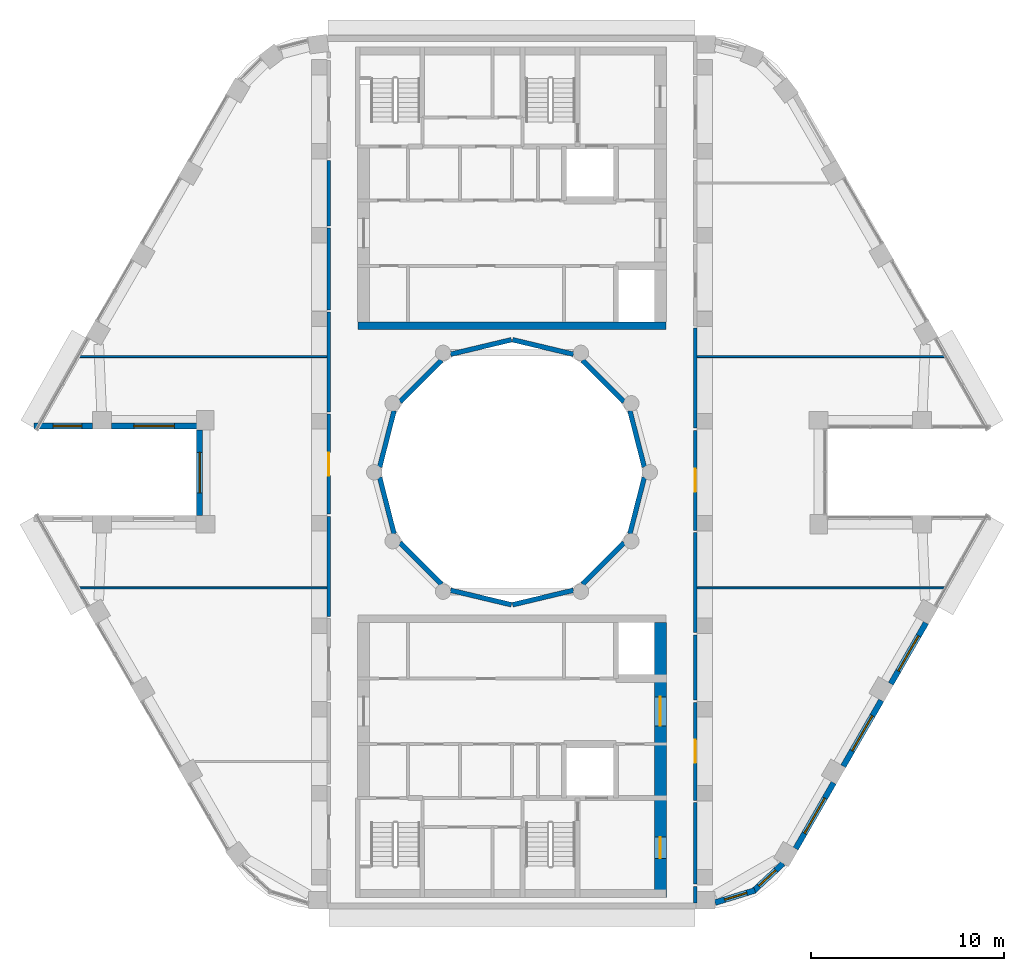
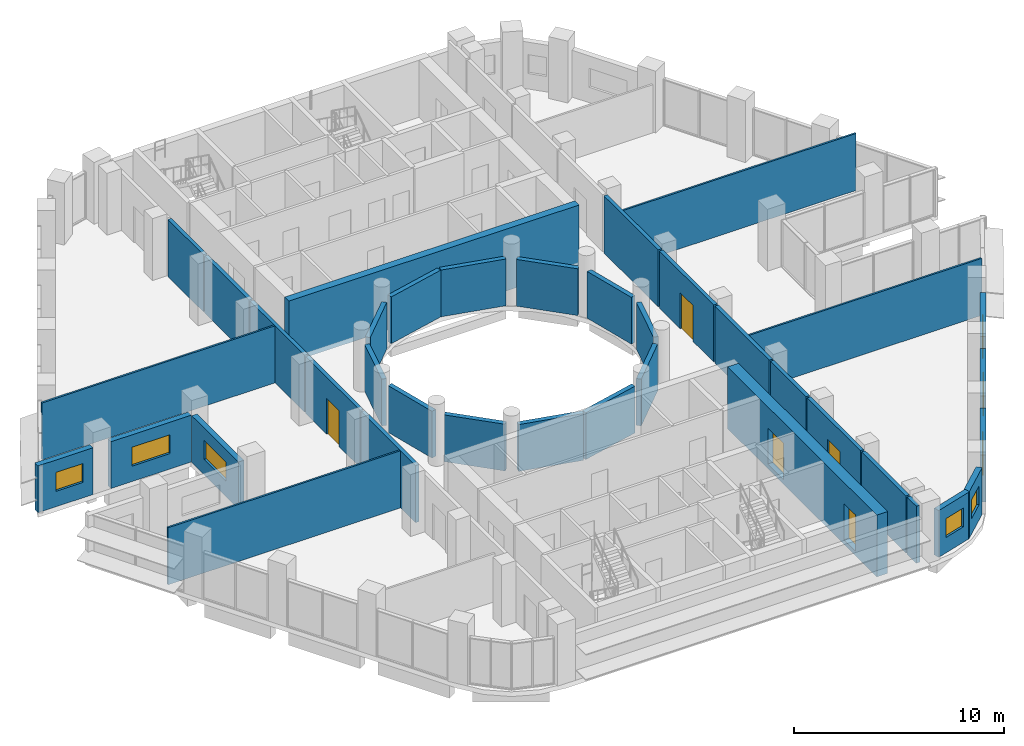
# One storey, part 11 of 16: 38 walls, 8 windows, 5 doors, 13 openings.
"""IFC4 building model written with IfcOpenShell, lengths in metres."""

from ifc_helpers import new_model, si_unit, direction, frame, frame_2d, origin, place, context, subcontext, project, spatial, rectangle, extrude, material, layer, layer_set, type_object, element, fill, save


model = new_model("IFC4")

# Units and contexts
model_context = context("Model", 3, precision=1e-05, world=origin(), true_north=direction((0.0, 1.0)))
body_context = subcontext(model_context, "Body", "Model", "MODEL_VIEW")
ifc_project = project(units=[si_unit("LENGTHUNIT", "METRE"), si_unit("AREAUNIT", "SQUARE_METRE"), si_unit("VOLUMEUNIT", "CUBIC_METRE"), si_unit("PLANEANGLEUNIT", "RADIAN"), si_unit("MASSUNIT", "GRAM", prefix="KILO")], contexts=[model_context])

# Site, building, storey
site_placement = place(None, origin())
site = spatial("IfcSite", under=ifc_project, at=site_placement, CompositionType="ELEMENT")
building_placement = place(site_placement, origin())
building = spatial("IfcBuilding", under=site, at=building_placement, Name="Nakaniwa Court", CompositionType="ELEMENT")
storey_placement = place(building_placement, frame((0.0, 0.0, 272.39990234375)))
storey = spatial("IfcBuildingStorey", under=building, at=storey_placement, Name="C01", CompositionType="ELEMENT", Elevation=272.39990234375)

# Walls
ifc_material_1 = material(Name="Acoustic double stud partition")
ifc_layer_1 = layer(ifc_material_1, 0.199951171875)
ifc_layer_set_1 = layer_set([ifc_layer_1], Name="Acoustic double stud partition")
wall_type_1 = type_object("IfcWallType", Name="Acoustic double stud partition 200", PredefinedType="PARTITIONING", material=ifc_layer_set_1)
wall_1_placement = place(storey_placement, frame((89.5, 57.64990234375, 0.0), z_axis=(0.0, 0.0, 1.0), x_axis=(0.0, 1.0, 0.0)))
element("IfcWall", 1, at=wall_1_placement, inside=storey, type_object=wall_type_1, Name="Partition PW-057", PredefinedType="PARTITIONING", context=body_context, shape_type="SweptSolid", body=[
    extrude(rectangle(XDim=0.873046875, YDim=0.199951171875, at=frame_2d((0.4365234375, 0.0))), origin(), (0.0, 0.0, 1.0), 3.3251953125),
])
wall_2_placement = place(storey_placement, frame((89.5, 58.636962890625, 0.0), z_axis=(0.0, 0.0, 1.0), x_axis=(0.0, 1.0, 0.0)))
element("IfcWall", 2, at=wall_2_placement, inside=storey, type_object=wall_type_1, Name="Partition PW-058", PredefinedType="PARTITIONING", context=body_context, shape_type="SweptSolid", body=[
    extrude(rectangle(XDim=4.236083984375, YDim=0.199951171875, at=frame_2d((2.1181640625, 0.0))), origin(), (0.0, 0.0, 1.0), 3.3251953125),
])

# Wall, opening, door
wall_3_placement = place(storey_placement, frame((89.5, 68.06298828125, 0.0), z_axis=(0.0, 0.0, 1.0), x_axis=(0.0, -1.0, 0.0)))
wall_3 = element("IfcWall", 3, at=wall_3_placement, inside=storey, type_object=wall_type_1, Name="Partition PW-059", PredefinedType="PARTITIONING", context=body_context, shape_type="SweptSolid", body=[
    extrude(rectangle(XDim=5.075927734375, YDim=0.199951171875, at=frame_2d((2.5380859375, 0.0))), origin(), (0.0, 0.0, 1.0), 3.3251953125),
])
opening_1_placement = place(wall_3_placement, frame((1.93798828125, 0.0, 0.0)))
opening_1 = element("IfcOpeningElement", 4, at=opening_1_placement, cuts=wall_3, Name="Opening D-30-01", PredefinedType="OPENING", context=body_context, shape_type="SweptSolid", body=[
    extrude(rectangle(XDim=1.199951171875, YDim=2.10009765625, at=frame_2d((0.60009765625, 1.050048828125))), frame((0.0, 0.10986328125, 0.0), z_axis=(0.0, -1.0, 0.0), x_axis=(1.0, 0.0, 0.0)), (0.0, 0.0, 1.0), 0.219970703125),
])
ifc_material_2 = material(Name="Solid core timber door set, black veneer", Category="wood")
door_type_1 = type_object("IfcDoorType", Name="Internal door 1200", OperationType="NOTDEFINED", PredefinedType="DOOR", material=ifc_material_2)
door_1_placement = place(opening_1_placement, origin())
door_1 = element("IfcDoor", 5, at=door_1_placement, inside=storey, type_object=door_type_1, Name="Door D-30-01 C01-029", OperationType="SINGLE_SWING_RIGHT", OverallHeight=2.10009765625, OverallWidth=1.199951171875, PredefinedType="DOOR", context=body_context, shape_type="SweptSolid", body=[
    extrude(rectangle(XDim=1.199951171875, YDim=2.10009765625, at=frame_2d((0.60009765625, 1.050048828125))), frame((0.0, 0.02490234375, 0.0), z_axis=(0.0, -1.0, 0.0), x_axis=(1.0, 0.0, 0.0)), (0.0, 0.0, 1.0), 0.050048828125),
])
fill(opening_1, door_1)

# Walls
wall_4_placement = place(storey_placement, frame((89.5, 68.177001953125, 0.0), z_axis=(0.0, 0.0, 1.0), x_axis=(0.0, 1.0, 0.0)))
element("IfcWall", 6, at=wall_4_placement, inside=storey, type_object=wall_type_1, Name="Partition PW-060", PredefinedType="PARTITIONING", context=body_context, shape_type="SweptSolid", body=[
    extrude(rectangle(XDim=3.39599609375, YDim=0.199951171875, at=frame_2d((1.697998046875, 0.0))), origin(), (0.0, 0.0, 1.0), 3.3251953125),
])
wall_5_placement = place(storey_placement, frame((89.5, 71.68701171875, 0.0), z_axis=(0.0, 0.0, 1.0), x_axis=(0.0, 1.0, 0.0)))
element("IfcWall", 7, at=wall_5_placement, inside=storey, type_object=wall_type_1, Name="Partition PW-061", PredefinedType="PARTITIONING", context=body_context, shape_type="SweptSolid", body=[
    extrude(rectangle(XDim=5.18603515625, YDim=0.199951171875, at=frame_2d((2.593017578125, 0.0))), origin(), (0.0, 0.0, 1.0), 3.3251953125),
])

# Wall, opening, door
wall_6_placement = place(storey_placement, frame((89.5, 82.173095703125, 0.0), z_axis=(0.0, 0.0, 1.0), x_axis=(0.0, -1.0, 0.0)))
wall_6 = element("IfcWall", 8, at=wall_6_placement, inside=storey, type_object=wall_type_1, Name="Partition PW-062", PredefinedType="PARTITIONING", context=body_context, shape_type="SweptSolid", body=[
    extrude(rectangle(XDim=5.18603515625, YDim=0.199951171875, at=frame_2d((2.593017578125, 0.0))), origin(), (0.0, 0.0, 1.0), 3.3251953125),
])
opening_2_placement = place(wall_6_placement, frame((1.992919921875, 0.0, 0.0)))
opening_2 = element("IfcOpeningElement", 9, at=opening_2_placement, cuts=wall_6, Name="Opening D-30-02", PredefinedType="OPENING", context=body_context, shape_type="SweptSolid", body=[
    extrude(rectangle(XDim=1.199951171875, YDim=2.10009765625, at=frame_2d((0.60009765625, 1.050048828125))), frame((0.0, 0.10986328125, 0.0), z_axis=(0.0, -1.0, 0.0), x_axis=(1.0, 0.0, 0.0)), (0.0, 0.0, 1.0), 0.219970703125),
])
door_2_placement = place(opening_2_placement, origin())
door_2 = element("IfcDoor", 10, at=door_2_placement, inside=storey, type_object=door_type_1, Name="Door D-30-02 C01-030", OperationType="SINGLE_SWING_LEFT", OverallHeight=2.10009765625, OverallWidth=1.199951171875, PredefinedType="DOOR", context=body_context, shape_type="SweptSolid", body=[
    extrude(rectangle(XDim=1.199951171875, YDim=2.10009765625, at=frame_2d((0.60009765625, 1.050048828125))), frame((0.0, 0.02490234375, 0.0), z_axis=(0.0, -1.0, 0.0), x_axis=(1.0, 0.0, 0.0)), (0.0, 0.0, 1.0), 0.050048828125),
])
fill(opening_2, door_2)

# Walls
for number, where, z_axis, x_axis, name in (
    (11, (89.5, 82.287109375, 0.0), (0.0, 0.0, 1.0), (0.0, 1.0, 0.0), "Partition PW-063"),
    (12, (70.5, 72.527099609375, 0.0), (0.0, 0.0, 1.0), (0.0, 1.0, 0.0), "Partition PW-077"),
):
    element("IfcWall", number, at=place(storey_placement, frame(where, z_axis=z_axis, x_axis=x_axis)), inside=storey, type_object=wall_type_1, Name=name, PredefinedType="PARTITIONING", context=body_context, shape_type="SweptSolid", body=[
        extrude(rectangle(XDim=5.185791015625, YDim=0.199951171875, at=frame_2d((2.5927734375, 0.0))), origin(), (0.0, 0.0, 1.0), 3.3251953125),
    ])

# Wall, opening, door
wall_7_placement = place(storey_placement, frame((70.5, 77.826904296875, 0.0), z_axis=(0.0, 0.0, 1.0), x_axis=(0.0, 1.0, 0.0)))
wall_7 = element("IfcWall", 13, at=wall_7_placement, inside=storey, type_object=wall_type_1, Name="Partition PW-078", PredefinedType="PARTITIONING", context=body_context, shape_type="SweptSolid", body=[
    extrude(rectangle(XDim=5.18603515625, YDim=0.199951171875, at=frame_2d((2.593017578125, 0.0))), origin(), (0.0, 0.0, 1.0), 3.3251953125),
])
opening_3_placement = place(wall_7_placement, frame((1.992919921875, 0.0, 0.0)))
opening_3 = element("IfcOpeningElement", 14, at=opening_3_placement, cuts=wall_7, Name="Opening D-30-07", PredefinedType="OPENING", context=body_context, shape_type="SweptSolid", body=[
    extrude(rectangle(XDim=1.199951171875, YDim=2.10009765625, at=frame_2d((0.60009765625, 1.050048828125))), frame((0.0, 0.10986328125, 0.0), z_axis=(0.0, -1.0, 0.0), x_axis=(1.0, 0.0, 0.0)), (0.0, 0.0, 1.0), 0.219970703125),
])
door_3_placement = place(opening_3_placement, origin())
door_3 = element("IfcDoor", 15, at=door_3_placement, inside=storey, type_object=door_type_1, Name="Door D-30-07 C01-035", OperationType="SINGLE_SWING_RIGHT", OverallHeight=2.10009765625, OverallWidth=1.199951171875, PredefinedType="DOOR", context=body_context, shape_type="SweptSolid", body=[
    extrude(rectangle(XDim=1.199951171875, YDim=2.10009765625, at=frame_2d((0.60009765625, 1.050048828125))), frame((0.0, 0.02490234375, 0.0), z_axis=(0.0, -1.0, 0.0), x_axis=(1.0, 0.0, 0.0)), (0.0, 0.0, 1.0), 0.050048828125),
])
fill(opening_3, door_3)

# Walls
wall_8_placement = place(storey_placement, frame((70.5, 83.126953125, 0.0), z_axis=(0.0, 0.0, 1.0), x_axis=(0.0, 1.0, 0.0)))
element("IfcWall", 16, at=wall_8_placement, inside=storey, type_object=wall_type_1, Name="Partition PW-079", PredefinedType="PARTITIONING", context=body_context, shape_type="SweptSolid", body=[
    extrude(rectangle(XDim=5.18603515625, YDim=0.199951171875, at=frame_2d((2.593017578125, 0.0))), origin(), (0.0, 0.0, 1.0), 3.3251953125),
])
wall_9_placement = place(storey_placement, frame((70.5, 88.427001953125, 0.0), z_axis=(0.0, 0.0, 1.0), x_axis=(0.0, 1.0, 0.0)))
element("IfcWall", 17, at=wall_9_placement, inside=storey, type_object=wall_type_1, Name="Partition PW-080", PredefinedType="PARTITIONING", context=body_context, shape_type="SweptSolid", body=[
    extrude(rectangle(XDim=4.236083984375, YDim=0.199951171875, at=frame_2d((2.1181640625, 0.0))), origin(), (0.0, 0.0, 1.0), 3.3251953125),
])
wall_10_placement = place(storey_placement, frame((70.5, 92.777099609375, 0.0), z_axis=(0.0, 0.0, 1.0), x_axis=(0.0, 1.0, 0.0)))
element("IfcWall", 18, at=wall_10_placement, inside=storey, type_object=wall_type_1, Name="Partition PW-081", PredefinedType="PARTITIONING", context=body_context, shape_type="SweptSolid", body=[
    extrude(rectangle(XDim=3.39599609375, YDim=0.199951171875, at=frame_2d((1.697998046875, 0.0))), origin(), (0.0, 0.0, 1.0), 3.3251953125),
])

# Wall, opening, window
ifc_material_3 = material(Name="Charcoal ceramic cladding")
ifc_layer_2 = layer(ifc_material_3, 0.02, Name="Ceramic cladding")
ifc_material_4 = material(Name="Ventilated air cavity")
ifc_layer_3 = layer(ifc_material_4, 0.04, ventilated=True, Name="Ventilated cavity")
ifc_material_5 = material(Name="Mineral wool insulation")
ifc_layer_4 = layer(ifc_material_5, 0.1, Name="Insulation")
ifc_material_6 = material(Name="Cement bonded sheathing board")
ifc_layer_5 = layer(ifc_material_6, 0.012, Name="Sheathing")
ifc_material_7 = material(Name="Cold-formed galvanised stud frame with mineral wool infill")
ifc_layer_6 = layer(ifc_material_7, 0.1, Name="Stud frame")
ifc_material_8 = material(Name="Fire-rated gypsum plasterboard lining")
ifc_layer_7 = layer(ifc_material_8, 0.028, Name="Lining")
ifc_layer_set_2 = layer_set([ifc_layer_2, ifc_layer_3, ifc_layer_4, ifc_layer_5, ifc_layer_6, ifc_layer_7], Name="Charcoal ceramic faced external wall system")
wall_type_2 = type_object("IfcWallType", Name="Black ceramic faced external wall 300", PredefinedType="SOLIDWALL", material=ifc_layer_set_2)
wall_11_placement = place(storey_placement, frame((55.2021484375, 82.39990234375, 0.0), z_axis=(0.0, 0.0, 1.0), x_axis=(1.0, 0.0, 0.0)))
wall_11 = element("IfcWall", 19, at=wall_11_placement, inside=storey, type_object=wall_type_2, Name="C01 external wall 15", PredefinedType="SOLIDWALL", context=body_context, shape_type="SweptSolid", body=[
    extrude(rectangle(XDim=3.037841796875, YDim=0.300048828125, at=frame_2d((1.51904296875, 0.0))), origin(), (0.0, 0.0, 1.0), 2.72509765625),
])
opening_4_placement = place(wall_11_placement, frame((0.993896484375, 0.0, 0.89990234375)))
opening_4 = element("IfcOpeningElement", 20, at=opening_4_placement, cuts=wall_11, Name="Opening W5.04", PredefinedType="OPENING", context=body_context, shape_type="SweptSolid", body=[
    extrude(rectangle(XDim=1.5, YDim=1.10009765625, at=frame_2d((0.75, 0.550048828125))), frame((0.0, 0.159912109375, 0.0), z_axis=(0.0, -1.0, 0.0), x_axis=(1.0, 0.0, 0.0)), (0.0, 0.0, 1.0), 0.320068359375),
])
ifc_material_9 = material(Name="Black anodised aluminium frame with dark low-E laminated double glazing", Category="aluminium")
window_type_1 = type_object("IfcWindowType", Name="Dark glass window 1500x1100 sill 900", PartitioningType="SINGLE_PANEL", PredefinedType="WINDOW", material=ifc_material_9)
window_1_placement = place(opening_4_placement, origin())
window_1 = element("IfcWindow", 21, at=window_1_placement, inside=storey, type_object=window_type_1, Name="C01 habitable room window 15-0", OverallHeight=1.10009765625, OverallWidth=1.5, PartitioningType="SINGLE_PANEL", PredefinedType="WINDOW", context=body_context, shape_type="SweptSolid", body=[
    extrude(rectangle(XDim=1.5, YDim=1.10009765625, at=frame_2d((0.75, 0.550048828125))), frame((0.0, 0.030029296875, 0.0), z_axis=(0.0, -1.0, 0.0), x_axis=(1.0, 0.0, 0.0)), (0.0, 0.0, 1.0), 0.06005859375),
])
fill(opening_4, window_1)

wall_12_placement = place(storey_placement, frame((59.23193359375, 82.39990234375, 0.0), z_axis=(0.0, 0.0, 1.0), x_axis=(1.0, 0.0, 0.0)))
wall_12 = element("IfcWall", 22, at=wall_12_placement, inside=storey, type_object=wall_type_2, Name="C01 external wall 16", PredefinedType="SOLIDWALL", context=body_context, shape_type="SweptSolid", body=[
    extrude(rectangle(XDim=4.422607421875, YDim=0.300048828125, at=frame_2d((2.21142578125, 0.0))), origin(), (0.0, 0.0, 1.0), 2.72509765625),
])
opening_5_placement = place(wall_12_placement, frame((1.161376953125, 0.0, 0.89990234375)))
opening_5 = element("IfcOpeningElement", 23, at=opening_5_placement, cuts=wall_12, Name="Opening W7.05", PredefinedType="OPENING", context=body_context, shape_type="SweptSolid", body=[
    extrude(rectangle(XDim=2.10009765625, YDim=1.10009765625, at=frame_2d((1.050048828125, 0.550048828125))), frame((0.0, 0.159912109375, 0.0), z_axis=(0.0, -1.0, 0.0), x_axis=(1.0, 0.0, 0.0)), (0.0, 0.0, 1.0), 0.320068359375),
])
window_type_2 = type_object("IfcWindowType", Name="Dark glass window 2100x1100 sill 900", PartitioningType="SINGLE_PANEL", PredefinedType="WINDOW", material=ifc_material_9)
window_2_placement = place(opening_5_placement, origin())
window_2 = element("IfcWindow", 24, at=window_2_placement, inside=storey, type_object=window_type_2, Name="C01 habitable room window 16-0", OverallHeight=1.10009765625, OverallWidth=2.10009765625, PartitioningType="SINGLE_PANEL", PredefinedType="WINDOW", context=body_context, shape_type="SweptSolid", body=[
    extrude(rectangle(XDim=2.10009765625, YDim=1.10009765625, at=frame_2d((1.050048828125, 0.550048828125))), frame((0.0, 0.030029296875, 0.0), z_axis=(0.0, -1.0, 0.0), x_axis=(1.0, 0.0, 0.0)), (0.0, 0.0, 1.0), 0.06005859375),
])
fill(opening_5, window_2)

wall_13_placement = place(storey_placement, frame((63.800537109375, 82.2041015625, 0.0), z_axis=(0.0, 0.0, 1.0), x_axis=(0.0, -1.0, 0.0)))
wall_13 = element("IfcWall", 25, at=wall_13_placement, inside=storey, type_object=wall_type_2, Name="C01 external wall 17", PredefinedType="SOLIDWALL", context=body_context, shape_type="SweptSolid", body=[
    extrude(rectangle(XDim=4.4580078125, YDim=0.300048828125, at=frame_2d((2.22900390625, 0.0))), origin(), (0.0, 0.0, 1.0), 2.72509765625),
])
opening_6_placement = place(wall_13_placement, frame((1.178955078125, 0.0, 0.89990234375)))
opening_6 = element("IfcOpeningElement", 26, at=opening_6_placement, cuts=wall_13, Name="Opening W7.06", PredefinedType="OPENING", context=body_context, shape_type="SweptSolid", body=[
    extrude(rectangle(XDim=2.10009765625, YDim=1.10009765625, at=frame_2d((1.050048828125, 0.550048828125))), frame((0.0, 0.159912109375, 0.0), z_axis=(0.0, -1.0, 0.0), x_axis=(1.0, 0.0, 0.0)), (0.0, 0.0, 1.0), 0.320068359375),
])
window_3_placement = place(opening_6_placement, origin())
window_3 = element("IfcWindow", 27, at=window_3_placement, inside=storey, type_object=window_type_2, Name="C01 habitable room window 17-0", OverallHeight=1.10009765625, OverallWidth=2.10009765625, PartitioningType="SINGLE_PANEL", PredefinedType="WINDOW", context=body_context, shape_type="SweptSolid", body=[
    extrude(rectangle(XDim=2.10009765625, YDim=1.10009765625, at=frame_2d((1.050048828125, 0.550048828125))), frame((0.0, 0.030029296875, 0.0), z_axis=(0.0, -1.0, 0.0), x_axis=(1.0, 0.0, 0.0)), (0.0, 0.0, 1.0), 0.06005859375),
])
fill(opening_6, window_3)

wall_14_placement = place(storey_placement, frame((90.53564453125, 57.68310546875, 0.0), z_axis=(0.0, 0.0, 1.0), x_axis=(0.956094906027, 0.293057213987, 0.0)))
wall_14 = element("IfcWall", 28, at=wall_14_placement, inside=storey, type_object=wall_type_2, Name="C01 external wall 27", PredefinedType="SOLIDWALL", context=body_context, shape_type="SweptSolid", body=[
    extrude(rectangle(XDim=2.15185546875, YDim=0.300048828125, at=frame_2d((1.075927734375, 0.0))), origin(), (0.0, 0.0, 1.0), 2.72509765625),
])
opening_7_placement = place(wall_14_placement, frame((0.514404296875, 0.0, 0.89990234375)))
opening_7 = element("IfcOpeningElement", 29, at=opening_7_placement, cuts=wall_14, Name="Opening W6.09", PredefinedType="OPENING", context=body_context, shape_type="SweptSolid", body=[
    extrude(rectangle(XDim=1.199951171875, YDim=1.10009765625, at=frame_2d((0.60009765625, 0.550048828125))), frame((0.0, 0.159912109375, 0.0), z_axis=(0.0, -1.0, 0.0), x_axis=(1.0, 0.0, 0.0)), (0.0, 0.0, 1.0), 0.320068359375),
])
window_type_3 = type_object("IfcWindowType", Name="Dark glass window 1200x1100 sill 900", PartitioningType="SINGLE_PANEL", PredefinedType="WINDOW", material=ifc_material_9)
window_4_placement = place(opening_7_placement, origin())
window_4 = element("IfcWindow", 30, at=window_4_placement, inside=storey, type_object=window_type_3, Name="C01 habitable room window 27-0", OverallHeight=1.10009765625, OverallWidth=1.199951171875, PartitioningType="SINGLE_PANEL", PredefinedType="WINDOW", context=body_context, shape_type="SweptSolid", body=[
    extrude(rectangle(XDim=1.199951171875, YDim=1.10009765625, at=frame_2d((0.60009765625, 0.550048828125))), frame((0.0, 0.030029296875, 0.0), z_axis=(0.0, -1.0, 0.0), x_axis=(1.0, 0.0, 0.0)), (0.0, 0.0, 1.0), 0.06005859375),
])
fill(opening_7, window_4)

wall_15_placement = place(storey_placement, frame((92.485107421875, 58.25048828125, 0.0), z_axis=(0.0, 0.0, 1.0), x_axis=(0.732075899412, 0.681223074697, 0.0)))
wall_15 = element("IfcWall", 31, at=wall_15_placement, inside=storey, type_object=wall_type_2, Name="C01 external wall 28", PredefinedType="SOLIDWALL", context=body_context, shape_type="SweptSolid", body=[
    extrude(rectangle(XDim=2.14599609375, YDim=0.300048828125, at=frame_2d((1.072998046875, 0.0))), origin(), (0.0, 0.0, 1.0), 2.72509765625),
])
opening_8_placement = place(wall_15_placement, frame((0.4345703125, 0.0, 0.89990234375)))
opening_8 = element("IfcOpeningElement", 32, at=opening_8_placement, cuts=wall_15, Name="Opening W6.10", PredefinedType="OPENING", context=body_context, shape_type="SweptSolid", body=[
    extrude(rectangle(XDim=1.199951171875, YDim=1.10009765625, at=frame_2d((0.60009765625, 0.550048828125))), frame((0.0, 0.159912109375, 0.0), z_axis=(0.0, -1.0, 0.0), x_axis=(1.0, 0.0, 0.0)), (0.0, 0.0, 1.0), 0.320068359375),
])
window_5_placement = place(opening_8_placement, origin())
window_5 = element("IfcWindow", 33, at=window_5_placement, inside=storey, type_object=window_type_3, Name="C01 habitable room window 28-0", OverallHeight=1.10009765625, OverallWidth=1.199951171875, PartitioningType="SINGLE_PANEL", PredefinedType="WINDOW", context=body_context, shape_type="SweptSolid", body=[
    extrude(rectangle(XDim=1.199951171875, YDim=1.10009765625, at=frame_2d((0.60009765625, 0.550048828125))), frame((0.0, 0.030029296875, 0.0), z_axis=(0.0, -1.0, 0.0), x_axis=(1.0, 0.0, 0.0)), (0.0, 0.0, 1.0), 0.06005859375),
])
fill(opening_8, window_5)

wall_16_placement = place(storey_placement, frame((94.7109375, 60.47998046875, 0.0), z_axis=(0.0, 0.0, 1.0), x_axis=(0.499986771468, 0.866033041146, 0.0)))
wall_16 = element("IfcWall", 34, at=wall_16_placement, inside=storey, type_object=wall_type_2, Name="C01 external wall 29", PredefinedType="SOLIDWALL", context=body_context, shape_type="SweptSolid", body=[
    extrude(rectangle(XDim=3.9443359375, YDim=0.300048828125, at=frame_2d((1.97216796875, 0.0))), origin(), (0.0, 0.0, 1.0), 2.72509765625),
])
opening_9_placement = place(wall_16_placement, frame((0.922119140625, 0.0, 0.89990234375)))
opening_9 = element("IfcOpeningElement", 35, at=opening_9_placement, cuts=wall_16, Name="Opening W7.11", PredefinedType="OPENING", context=body_context, shape_type="SweptSolid", body=[
    extrude(rectangle(XDim=2.10009765625, YDim=1.10009765625, at=frame_2d((1.050048828125, 0.550048828125))), frame((0.0, 0.159912109375, 0.0), z_axis=(0.0, -1.0, 0.0), x_axis=(1.0, 0.0, 0.0)), (0.0, 0.0, 1.0), 0.320068359375),
])
window_6_placement = place(opening_9_placement, origin())
window_6 = element("IfcWindow", 36, at=window_6_placement, inside=storey, type_object=window_type_2, Name="C01 habitable room window 29-0", OverallHeight=1.10009765625, OverallWidth=2.10009765625, PartitioningType="SINGLE_PANEL", PredefinedType="WINDOW", context=body_context, shape_type="SweptSolid", body=[
    extrude(rectangle(XDim=2.10009765625, YDim=1.10009765625, at=frame_2d((1.050048828125, 0.550048828125))), frame((0.0, 0.030029296875, 0.0), z_axis=(0.0, -1.0, 0.0), x_axis=(1.0, 0.0, 0.0)), (0.0, 0.0, 1.0), 0.06005859375),
])
fill(opening_9, window_6)

wall_17_placement = place(storey_placement, frame((97.178955078125, 64.7548828125, 0.0), z_axis=(0.0, 0.0, 1.0), x_axis=(0.500013573458, 0.866017567003, 0.0)))
wall_17 = element("IfcWall", 37, at=wall_17_placement, inside=storey, type_object=wall_type_2, Name="C01 external wall 30", PredefinedType="SOLIDWALL", context=body_context, shape_type="SweptSolid", body=[
    extrude(rectangle(XDim=3.9443359375, YDim=0.300048828125, at=frame_2d((1.97216796875, 0.0))), origin(), (0.0, 0.0, 1.0), 2.72509765625),
])
opening_10_placement = place(wall_17_placement, frame((0.922119140625, 0.0, 0.89990234375)))
opening_10 = element("IfcOpeningElement", 38, at=opening_10_placement, cuts=wall_17, Name="Opening W7.12", PredefinedType="OPENING", context=body_context, shape_type="SweptSolid", body=[
    extrude(rectangle(XDim=2.10009765625, YDim=1.10009765625, at=frame_2d((1.050048828125, 0.550048828125))), frame((0.0, 0.159912109375, 0.0), z_axis=(0.0, -1.0, 0.0), x_axis=(1.0, 0.0, 0.0)), (0.0, 0.0, 1.0), 0.320068359375),
])
window_7_placement = place(opening_10_placement, origin())
window_7 = element("IfcWindow", 39, at=window_7_placement, inside=storey, type_object=window_type_2, Name="C01 habitable room window 30-0", OverallHeight=1.10009765625, OverallWidth=2.10009765625, PartitioningType="SINGLE_PANEL", PredefinedType="WINDOW", context=body_context, shape_type="SweptSolid", body=[
    extrude(rectangle(XDim=2.10009765625, YDim=1.10009765625, at=frame_2d((1.050048828125, 0.550048828125))), frame((0.0, 0.030029296875, 0.0), z_axis=(0.0, -1.0, 0.0), x_axis=(1.0, 0.0, 0.0)), (0.0, 0.0, 1.0), 0.06005859375),
])
fill(opening_10, window_7)

wall_18_placement = place(storey_placement, frame((99.647216796875, 69.02978515625, 0.0), z_axis=(0.0, 0.0, 1.0), x_axis=(0.499990941067, 0.866030633898, 0.0)))
wall_18 = element("IfcWall", 40, at=wall_18_placement, inside=storey, type_object=wall_type_2, Name="C01 external wall 31", PredefinedType="SOLIDWALL", context=body_context, shape_type="SweptSolid", body=[
    extrude(rectangle(XDim=3.64697265625, YDim=0.300048828125, at=frame_2d((1.823486328125, 0.0))), origin(), (0.0, 0.0, 1.0), 2.72509765625),
])
opening_11_placement = place(wall_18_placement, frame((0.7734375, 0.0, 0.89990234375)))
opening_11 = element("IfcOpeningElement", 41, at=opening_11_placement, cuts=wall_18, Name="Opening W7.13", PredefinedType="OPENING", context=body_context, shape_type="SweptSolid", body=[
    extrude(rectangle(XDim=2.10009765625, YDim=1.10009765625, at=frame_2d((1.050048828125, 0.550048828125))), frame((0.0, 0.159912109375, 0.0), z_axis=(0.0, -1.0, 0.0), x_axis=(1.0, 0.0, 0.0)), (0.0, 0.0, 1.0), 0.320068359375),
])
window_8_placement = place(opening_11_placement, origin())
window_8 = element("IfcWindow", 42, at=window_8_placement, inside=storey, type_object=window_type_2, Name="C01 habitable room window 31-0", OverallHeight=1.10009765625, OverallWidth=2.10009765625, PartitioningType="SINGLE_PANEL", PredefinedType="WINDOW", context=body_context, shape_type="SweptSolid", body=[
    extrude(rectangle(XDim=2.10009765625, YDim=1.10009765625, at=frame_2d((1.050048828125, 0.550048828125))), frame((0.0, 0.030029296875, 0.0), z_axis=(0.0, -1.0, 0.0), x_axis=(1.0, 0.0, 0.0)), (0.0, 0.0, 1.0), 0.06005859375),
])
fill(opening_11, window_8)

# Walls
ifc_layer_8 = layer(ifc_material_3, 0.02, Name="Ceramic cladding")
ifc_layer_9 = layer(ifc_material_4, 0.04, ventilated=True, Name="Ventilated cavity")
ifc_layer_10 = layer(ifc_material_5, 0.075, Name="Insulation")
ifc_layer_11 = layer(ifc_material_6, 0.012, Name="Sheathing")
ifc_layer_12 = layer(ifc_material_7, 0.075, Name="Stud frame")
ifc_layer_13 = layer(ifc_material_8, 0.028, Name="Lining")
ifc_layer_set_3 = layer_set([ifc_layer_8, ifc_layer_9, ifc_layer_10, ifc_layer_11, ifc_layer_12, ifc_layer_13], Name="Charcoal ceramic faced external wall system")
wall_type_3 = type_object("IfcWallType", Name="Charcoal ceramic faced well wall 250", PredefinedType="SOLIDWALL", material=ifc_layer_set_3)
wall_19_placement = place(storey_placement, frame((86.8603515625, 79.72998046875, 0.0), z_axis=(0.0, 0.0, 1.0), x_axis=(-0.247055971283, -0.969001211069, 0.0)))
element("IfcWall", 43, at=wall_19_placement, inside=storey, type_object=wall_type_3, Name="C01 external wall 36", PredefinedType="SOLIDWALL", context=body_context, shape_type="SweptSolid", body=[
    extrude(rectangle(XDim=3.010009765625, YDim=0.25, at=frame_2d((1.5048828125, 0.0))), origin(), (0.0, 0.0, 1.0), 2.72509765625),
])
wall_20_placement = place(storey_placement, frame((85.8056640625, 76.339111328125, 0.0), z_axis=(0.0, 0.0, 1.0), x_axis=(-0.707106781187, -0.707106781187, 0.0)))
element("IfcWall", 44, at=wall_20_placement, inside=storey, type_object=wall_type_3, Name="C01 external wall 37", PredefinedType="SOLIDWALL", context=body_context, shape_type="SweptSolid", body=[
    extrude(rectangle(XDim=3.033203125, YDim=0.25, at=frame_2d((1.5166015625, 0.0))), origin(), (0.0, 0.0, 1.0), 2.72509765625),
])
for number, where, z_axis, x_axis, name in (
    (45, (83.186279296875, 73.880615234375, 0.0), (0.0, 0.0, 1.0), (-0.972773113459, -0.231759508395, 0.0), "C01 external wall 38"),
    (46, (79.970947265625, 73.12841796875, 0.0), (0.0, 0.0, 1.0), (-0.972773113459, 0.231759508395, 0.0), "C01 external wall 39"),
):
    element("IfcWall", number, at=place(storey_placement, frame(where, z_axis=z_axis, x_axis=x_axis)), inside=storey, type_object=wall_type_3, Name=name, PredefinedType="SOLIDWALL", context=body_context, shape_type="SweptSolid", body=[
        extrude(rectangle(XDim=3.24560546875, YDim=0.25, at=frame_2d((1.622802734375, 0.0))), origin(), (0.0, 0.0, 1.0), 2.72509765625),
    ])
wall_21_placement = place(storey_placement, frame((76.339111328125, 74.1943359375, 0.0), z_axis=(0.0, 0.0, 1.0), x_axis=(-0.707106781187, 0.707106781187, 0.0)))
element("IfcWall", 47, at=wall_21_placement, inside=storey, type_object=wall_type_3, Name="C01 external wall 40", PredefinedType="SOLIDWALL", context=body_context, shape_type="SweptSolid", body=[
    extrude(rectangle(XDim=3.033203125, YDim=0.25, at=frame_2d((1.5166015625, 0.0))), origin(), (0.0, 0.0, 1.0), 2.72509765625),
])
for number, where, z_axis, x_axis, name in (
    (48, (73.88330078125, 76.813232421875, 0.0), (0.0, 0.0, 1.0), (-0.247055971283, 0.969001211069, 0.0), "C01 external wall 41"),
    (49, (73.1396484375, 80.27001953125, 0.0), (0.0, 0.0, 1.0), (0.247055971283, 0.969001211069, 0.0), "C01 external wall 42"),
):
    element("IfcWall", number, at=place(storey_placement, frame(where, z_axis=z_axis, x_axis=x_axis)), inside=storey, type_object=wall_type_3, Name=name, PredefinedType="SOLIDWALL", context=body_context, shape_type="SweptSolid", body=[
        extrude(rectangle(XDim=3.010009765625, YDim=0.25, at=frame_2d((1.5048828125, 0.0))), origin(), (0.0, 0.0, 1.0), 2.72509765625),
    ])
wall_22_placement = place(storey_placement, frame((74.1943359375, 83.660888671875, 0.0), z_axis=(0.0, 0.0, 1.0), x_axis=(0.707106781187, 0.707106781187, 0.0)))
element("IfcWall", 50, at=wall_22_placement, inside=storey, type_object=wall_type_3, Name="C01 external wall 43", PredefinedType="SOLIDWALL", context=body_context, shape_type="SweptSolid", body=[
    extrude(rectangle(XDim=3.033203125, YDim=0.25, at=frame_2d((1.5166015625, 0.0))), origin(), (0.0, 0.0, 1.0), 2.72509765625),
])
for number, where, z_axis, x_axis, name in (
    (51, (76.813720703125, 86.119384765625, 0.0), (0.0, 0.0, 1.0), (0.972773113459, 0.231759508395, 0.0), "C01 external wall 44"),
    (52, (80.029052734375, 86.87158203125, 0.0), (0.0, 0.0, 1.0), (0.972773113459, -0.231759508395, 0.0), "C01 external wall 45"),
):
    element("IfcWall", number, at=place(storey_placement, frame(where, z_axis=z_axis, x_axis=x_axis)), inside=storey, type_object=wall_type_3, Name=name, PredefinedType="SOLIDWALL", context=body_context, shape_type="SweptSolid", body=[
        extrude(rectangle(XDim=3.24560546875, YDim=0.25, at=frame_2d((1.622802734375, 0.0))), origin(), (0.0, 0.0, 1.0), 2.72509765625),
    ])
wall_23_placement = place(storey_placement, frame((83.660888671875, 85.8056640625, 0.0), z_axis=(0.0, 0.0, 1.0), x_axis=(0.707106781187, -0.707106781187, 0.0)))
element("IfcWall", 53, at=wall_23_placement, inside=storey, type_object=wall_type_3, Name="C01 external wall 46", PredefinedType="SOLIDWALL", context=body_context, shape_type="SweptSolid", body=[
    extrude(rectangle(XDim=3.033203125, YDim=0.25, at=frame_2d((1.5166015625, 0.0))), origin(), (0.0, 0.0, 1.0), 2.72509765625),
])
wall_24_placement = place(storey_placement, frame((86.11669921875, 83.186767578125, 0.0), z_axis=(0.0, 0.0, 1.0), x_axis=(0.247055971283, -0.969001211069, 0.0)))
element("IfcWall", 54, at=wall_24_placement, inside=storey, type_object=wall_type_3, Name="C01 external wall 47", PredefinedType="SOLIDWALL", context=body_context, shape_type="SweptSolid", body=[
    extrude(rectangle(XDim=3.010009765625, YDim=0.25, at=frame_2d((1.5048828125, 0.0))), origin(), (0.0, 0.0, 1.0), 2.72509765625),
])

# Wall, openings, doors
ifc_material_10 = material(Name="Concrete C80/100", Category="concrete")
ifc_layer_14 = layer(ifc_material_10, 0.60009765625)
ifc_layer_set_4 = layer_set([ifc_layer_14], Name="Concrete C80/100")
wall_type_4 = type_object("IfcWallType", Name="Concrete core side wall 600 C80", PredefinedType="SHEAR", material=ifc_layer_set_4)
wall_25_placement = place(storey_placement, frame((87.699951171875, 72.199951171875, -0.27490234375), z_axis=(0.0, 0.0, 1.0), x_axis=(0.0, -1.0, 0.0)))
wall_25 = element("IfcWall", 55, at=wall_25_placement, inside=storey, type_object=wall_type_4, Name="Core wall SW-36", PredefinedType="SHEAR", context=body_context, shape_type="SweptSolid", body=[
    extrude(rectangle(XDim=14.25, YDim=0.60009765625, at=frame_2d((7.125, 0.0))), origin(), (0.0, 0.0, 1.0), 3.60009765625),
])
opening_12_placement = place(wall_25_placement, frame((3.85009765625, 0.0, 0.27490234375)))
opening_12 = element("IfcOpeningElement", 56, at=opening_12_placement, cuts=wall_25, Name="Opening D-07-03", PredefinedType="OPENING", context=body_context, shape_type="SweptSolid", body=[
    extrude(rectangle(XDim=1.5, YDim=2.10009765625, at=frame_2d((0.75, 1.050048828125))), frame((0.0, 0.31005859375, 0.0), z_axis=(0.0, -1.0, 0.0), x_axis=(1.0, 0.0, 0.0)), (0.0, 0.0, 1.0), 0.6201171875),
])
opening_13_placement = place(wall_25_placement, frame((11.125, 0.0, 0.27490234375)))
opening_13 = element("IfcOpeningElement", 57, at=opening_13_placement, cuts=wall_25, Name="Opening D-10-02", PredefinedType="OPENING", context=body_context, shape_type="SweptSolid", body=[
    extrude(rectangle(XDim=1.10009765625, YDim=2.10009765625, at=frame_2d((0.550048828125, 1.050048828125))), frame((0.0, 0.31005859375, 0.0), z_axis=(0.0, -1.0, 0.0), x_axis=(1.0, 0.0, 0.0)), (0.0, 0.0, 1.0), 0.6201171875),
])
ifc_material_11 = material(Name="Fire rated steel door set", Category="steel")
door_type_2 = type_object("IfcDoorType", Name="Firefighting lobby door 1100", OperationType="NOTDEFINED", PredefinedType="DOOR", material=ifc_material_11)
door_4_placement = place(opening_13_placement, origin())
door_4 = element("IfcDoor", 58, at=door_4_placement, inside=storey, type_object=door_type_2, Name="Door D-10-02 C01-042", OperationType="SINGLE_SWING_LEFT", OverallHeight=2.10009765625, OverallWidth=1.10009765625, PredefinedType="DOOR", context=body_context, shape_type="SweptSolid", body=[
    extrude(rectangle(XDim=1.10009765625, YDim=2.10009765625, at=frame_2d((0.550048828125, 1.050048828125))), frame((0.0, 0.02490234375, 0.0), z_axis=(0.0, -1.0, 0.0), x_axis=(1.0, 0.0, 0.0)), (0.0, 0.0, 1.0), 0.050048828125),
])
fill(opening_13, door_4)
ifc_material_12 = material(Name="Glazed fire rated steel double door set", Category="steel")
door_type_3 = type_object("IfcDoorType", Name="Lobby double door 1500", OperationType="NOTDEFINED", PredefinedType="DOOR", material=ifc_material_12)
door_5_placement = place(opening_12_placement, origin())
door_5 = element("IfcDoor", 59, at=door_5_placement, inside=storey, type_object=door_type_3, Name="Door D-07-03 C01-040", OperationType="DOUBLE_DOOR_SINGLE_SWING", OverallHeight=2.10009765625, OverallWidth=1.5, PredefinedType="DOOR", context=body_context, shape_type="SweptSolid", body=[
    extrude(rectangle(XDim=1.5, YDim=2.10009765625, at=frame_2d((0.75, 1.050048828125))), frame((0.0, 0.02490234375, 0.0), z_axis=(0.0, -1.0, 0.0), x_axis=(1.0, 0.0, 0.0)), (0.0, 0.0, 1.0), 0.050048828125),
])
fill(opening_12, door_5)

# Walls
ifc_layer_15 = layer(ifc_material_10, 0.39990234375)
ifc_layer_set_5 = layer_set([ifc_layer_15], Name="Concrete C80/100")
wall_type_5 = type_object("IfcWallType", Name="Concrete core well wall 400 C80", PredefinedType="SHEAR", material=ifc_layer_set_5)
wall_26_placement = place(storey_placement, frame((72.00390625, 87.60009765625, -0.27490234375), z_axis=(0.0, 0.0, 1.0), x_axis=(1.0, 0.0, 0.0)))
element("IfcWall", 60, at=wall_26_placement, inside=storey, type_object=wall_type_5, Name="Core wall SW-85", PredefinedType="SHEAR", context=body_context, shape_type="SweptSolid", body=[
    extrude(rectangle(XDim=15.9921875, YDim=0.39990234375, at=frame_2d((7.99609375, 0.0))), origin(), (0.0, 0.0, 1.0), 3.60009765625),
])
ifc_material_13 = material(Name="Single stud plasterboard partition")
ifc_layer_16 = layer(ifc_material_13, 0.10009765625)
ifc_layer_set_6 = layer_set([ifc_layer_16], Name="Single stud plasterboard partition")
wall_type_6 = type_object("IfcWallType", Name="Single stud plasterboard partition 100", PredefinedType="PARTITIONING", material=ifc_layer_set_6)
for number, where, z_axis, x_axis, name in (
    (61, (57.57763671875, 74.0, 0.0), (0.0, 0.0, 1.0), (1.0, 0.0, 0.0), "Partition PW-068"),
    (62, (89.5, 74.0, 0.0), (0.0, 0.0, 1.0), (1.0, 0.0, 0.0), "Partition PW-069"),
    (63, (57.57763671875, 86.0, 0.0), (0.0, 0.0, 1.0), (1.0, 0.0, 0.0), "Partition PW-070"),
    (64, (89.5, 86.0, 0.0), (0.0, 0.0, 1.0), (1.0, 0.0, 0.0), "Partition PW-071"),
):
    element("IfcWall", number, at=place(storey_placement, frame(where, z_axis=z_axis, x_axis=x_axis)), inside=storey, type_object=wall_type_6, Name=name, PredefinedType="PARTITIONING", context=body_context, shape_type="SweptSolid", body=[
        extrude(rectangle(XDim=12.92236328125, YDim=0.10009765625, at=frame_2d((6.461181640625, 0.0))), origin(), (0.0, 0.0, 1.0), 3.3251953125),
    ])

save(model, "model.ifc")
